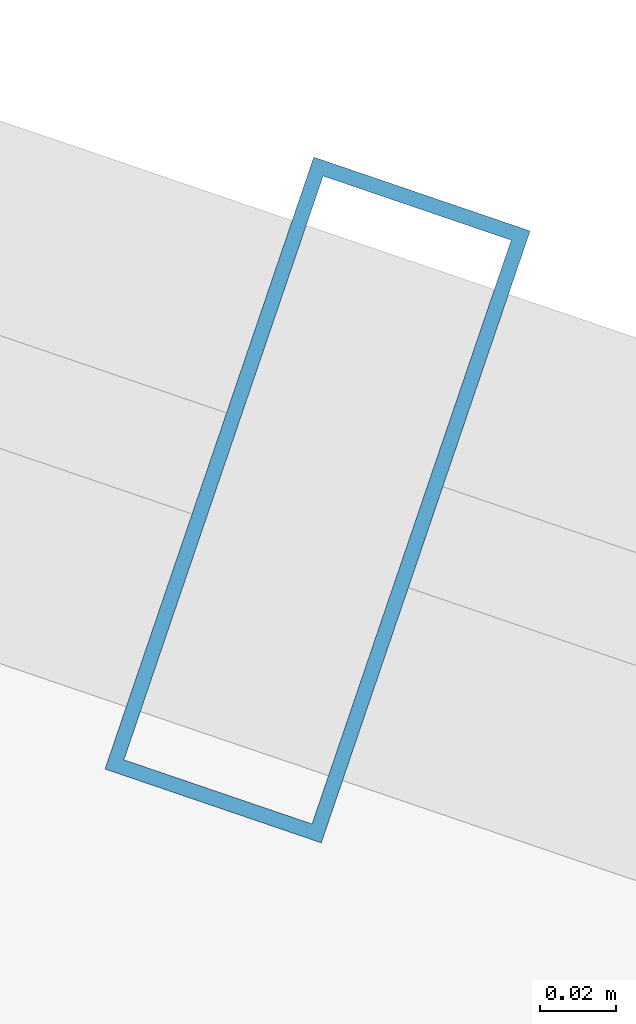
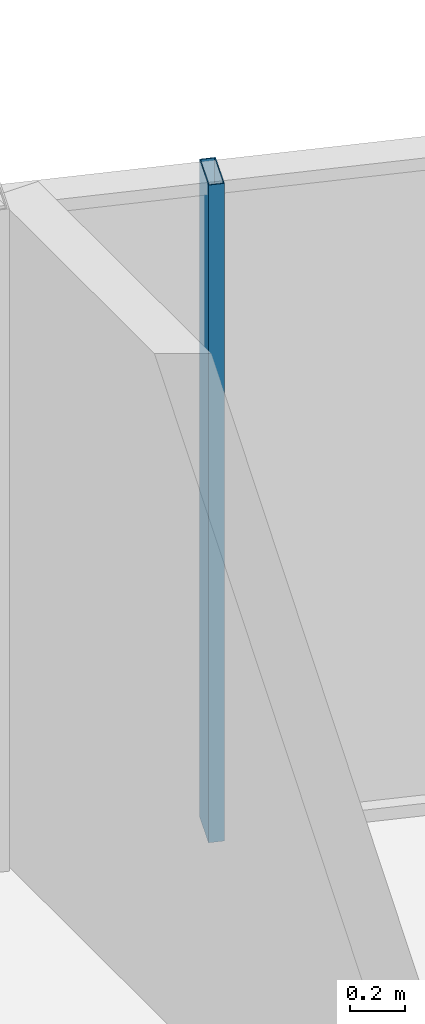
# One storey, part 27 of 36: 1 member, 1 element without a shape of its own.
"""IFC4 building model written with IfcOpenShell, lengths in metres."""

from ifc_helpers import new_model, si_unit, direction, frame, origin, origin_2d, place, context, subcontext, project, spatial, hollow_rectangle, extrude, source, transform, mapped, material, layer, layer_set, material_profile, profile_set, type_object, element, aggregate, save


model = new_model("IFC4")

# Units and contexts
model_context = context("Model", 3, precision=1e-05, world=origin(), true_north=direction((0.0, 1.0)))
body_context = subcontext(model_context, "Body", "Model", "MODEL_VIEW")
ifc_project = project(units=[si_unit("LENGTHUNIT", "METRE"), si_unit("AREAUNIT", "SQUARE_METRE"), si_unit("VOLUMEUNIT", "CUBIC_METRE"), si_unit("PLANEANGLEUNIT", "RADIAN"), si_unit("MASSUNIT", "GRAM", prefix="KILO")], contexts=[model_context])

# Site, building, storey
site_placement = place(None, origin())
site = spatial("IfcSite", under=ifc_project, at=site_placement, CompositionType="ELEMENT")
building_placement = place(site_placement, origin())
building = spatial("IfcBuilding", under=site, at=building_placement, Name="Veraguas Prism Commons", CompositionType="ELEMENT")
storey_placement = place(building_placement, frame((0.0, 0.0, 166.300048828125)))
storey = spatial("IfcBuildingStorey", under=building, at=storey_placement, Name="L47", CompositionType="ELEMENT", Elevation=166.300048828125)

# Curtain wall, member
ifc_material = material(Name="Anodised aluminium EN AW-6063 T6", Category="aluminium")
ifc_layer = layer(ifc_material, 0.169921875, Name="Unitised Flush Curtain Wall Zone 2", Category="aluminium")
ifc_layer_set = layer_set([ifc_layer], Name="Anodised aluminium EN AW-6063 T6")
curtain_wall_type = type_object("IfcCurtainWallType", Name="Unitised Flush Curtain Wall Zone 2", PredefinedType="NOTDEFINED", material=ifc_layer_set)
curtain_wall_placement = place(storey_placement, origin())
curtain_wall = element("IfcCurtainWall", 1, at=curtain_wall_placement, inside=storey, type_object=curtain_wall_type, Name="Tower Facade Curtain Wall L47-F1", PredefinedType="NOTDEFINED")
ifc_material_profile = material_profile(ifc_material, hollow_rectangle(XDim=0.06005859375, YDim=0.169921875, WallThickness=0.00390625, at=origin_2d()), Name="AL60X170X4")
ifc_profile_set = profile_set([ifc_material_profile], Name="Anodised aluminium EN AW-6063 T6")
member_type = type_object("IfcMemberType", Name="Curtain Wall Mullion Lower AL 60x170x4", PredefinedType="MULLION", material=ifc_profile_set)
shared_shape = source(origin(), body_context, "Body", "SweptSolid", [
    extrude(hollow_rectangle(XDim=0.06005859375, YDim=0.169921875, WallThickness=0.00390625, at=origin_2d()), origin(), (0.0, 0.0, 1.0), 2.929931640625),
])
member_placement = place(storey_placement, frame((34.272216796875, 40.763427734375, 0.0), z_axis=(0.0, 0.0, 1.0), x_axis=(-0.946424609155, 0.322924850679, 0.0)))
member = element("IfcMember", 2, at=member_placement, type_object=member_type, Name="CW-Z2 Mullion 2", PredefinedType="MULLION", context=body_context, shape_type="MappedRepresentation", body=[
    mapped(shared_shape, transform((0.0, 0.0, 0.0), scale=1.0)),
])
aggregate(curtain_wall, [member])

save(model, "model.ifc")
